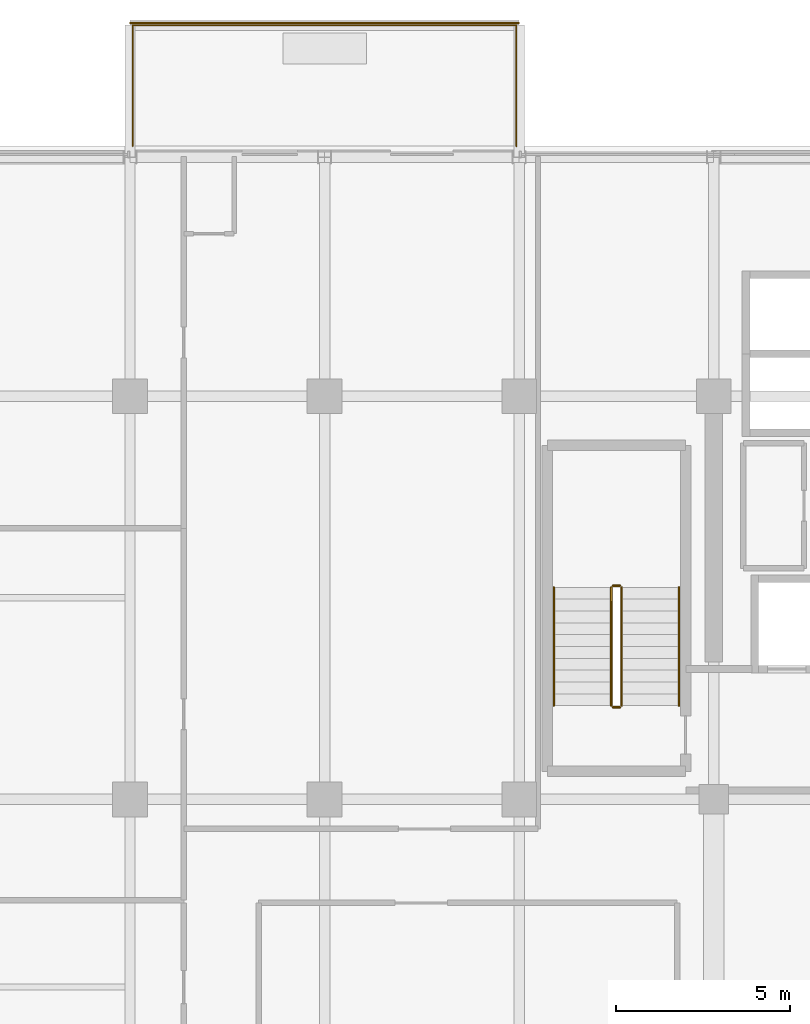
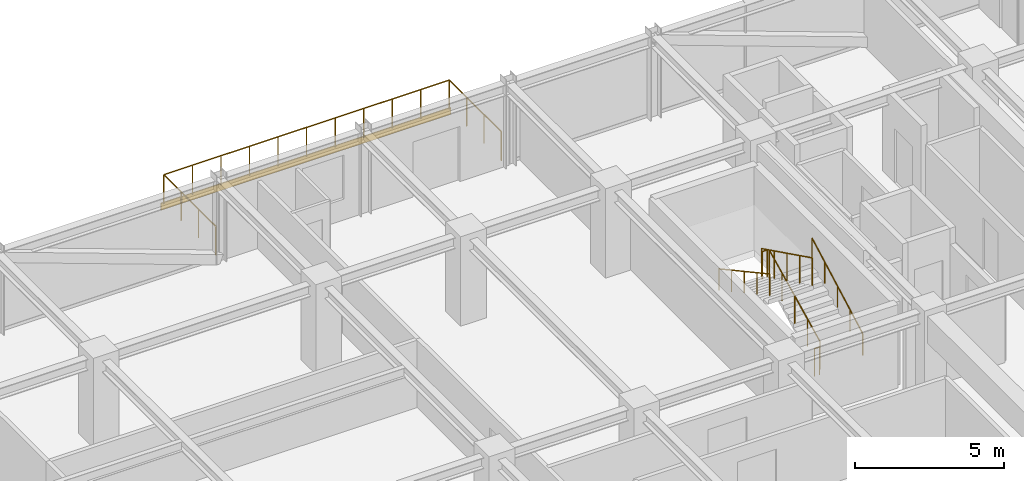
# One storey, part 41 of 42: 7 railings, 1 covering.
"""IFC4 building model written with IfcOpenShell, lengths in metres."""

from ifc_helpers import new_model, si_unit, direction, frame, origin, origin_2d, place, context, subcontext, project, spatial, rectangle, circle, extrude, source, transform, mapped, material, layer, layer_set, type_object, element, save


model = new_model("IFC4")

# Units and contexts
model_context = context("Model", 3, precision=1e-05, world=origin(), true_north=direction((0.0, 1.0)))
body_context = subcontext(model_context, "Body", "Model", "MODEL_VIEW")
ifc_project = project(units=[si_unit("LENGTHUNIT", "METRE"), si_unit("AREAUNIT", "SQUARE_METRE"), si_unit("VOLUMEUNIT", "CUBIC_METRE"), si_unit("PLANEANGLEUNIT", "RADIAN"), si_unit("MASSUNIT", "GRAM", prefix="KILO")], contexts=[model_context])

# Site, building, storey
site_placement = place(None, origin())
site = spatial("IfcSite", under=ifc_project, at=site_placement, CompositionType="ELEMENT")
building_placement = place(site_placement, origin())
building = spatial("IfcBuilding", under=site, at=building_placement, Name="Nahalor Promenade Grand Hotel", CompositionType="ELEMENT")
storey_placement = place(building_placement, frame((0.0, 0.0, 249.300048828125)))
storey = spatial("IfcBuildingStorey", under=building, at=storey_placement, Name="L64", CompositionType="ELEMENT", Elevation=249.300048828125)

# Railings
ifc_material_1 = material(Name="Anodised Bronze Aluminium EN AW-6063 T6", Category="aluminium")
railing_type_1 = type_object("IfcRailingType", Name="Bronze Balcony Guardrail 1200 mm", PredefinedType="GUARDRAIL", material=ifc_material_1)
railing_1_placement = place(storey_placement, frame((-8.320068359375, 24.199951171875, 0.0)))
element("IfcRailing", 1, at=railing_1_placement, inside=storey, type_object=railing_type_1, Name="L64 Balcony Guardrail 1", PredefinedType="GUARDRAIL", context=body_context, shape_type="SweptSolid", body=[
    extrude(circle(Radius=0.024048, at=origin_2d()), frame((0.0, 0.0, 1.17578125), z_axis=(0.0, 1.0, 0.0), x_axis=(-1.0, 0.0, 0.0)), (0.0, 0.0, 1.0), 3.47802734375),
    extrude(circle(Radius=0.024048, at=origin_2d()), frame((0.001953125, 3.47998046875, 1.17578125), z_axis=(1.0, 0.0, 0.0), x_axis=(0.0, 1.0, 0.0)), (0.0, 0.0, 1.0), 11.0361328125),
    extrude(circle(Radius=0.024048, at=origin_2d()), frame((11.0400390625, 3.47802734375, 1.17578125), z_axis=(0.0, -1.0, 0.0), x_axis=(1.0, 0.0, 0.0)), (0.0, 0.0, 1.0), 3.47802734375),
    extrude(circle(Radius=0.020996, at=origin_2d()), origin(), (0.0, 0.0, 1.0), 1.14990234375),
    extrude(circle(Radius=0.020996, at=origin_2d()), frame((0.0, 1.159912109375, 0.0)), (0.0, 0.0, 1.0), 1.14990234375),
    extrude(circle(Radius=0.020996, at=origin_2d()), frame((0.0, 2.320068359375, 0.0)), (0.0, 0.0, 1.0), 1.14990234375),
    extrude(circle(Radius=0.020996, at=origin_2d()), frame((0.0, 3.47998046875, 0.0)), (0.0, 0.0, 1.0), 1.14990234375),
    extrude(circle(Radius=0.020996, at=origin_2d()), frame((1.10400390625, 3.47998046875, 0.0)), (0.0, 0.0, 1.0), 1.14990234375),
    extrude(circle(Radius=0.020996, at=origin_2d()), frame((2.2080078125, 3.47998046875, 0.0)), (0.0, 0.0, 1.0), 1.14990234375),
    extrude(circle(Radius=0.020996, at=origin_2d()), frame((3.31201171875, 3.47998046875, 0.0)), (0.0, 0.0, 1.0), 1.14990234375),
    extrude(circle(Radius=0.020996, at=origin_2d()), frame((4.416015625, 3.47998046875, 0.0)), (0.0, 0.0, 1.0), 1.14990234375),
    extrude(circle(Radius=0.020996, at=origin_2d()), frame((5.52001953125, 3.47998046875, 0.0)), (0.0, 0.0, 1.0), 1.14990234375),
    extrude(circle(Radius=0.020996, at=origin_2d()), frame((6.6240234375, 3.47998046875, 0.0)), (0.0, 0.0, 1.0), 1.14990234375),
    extrude(circle(Radius=0.020996, at=origin_2d()), frame((7.72802734375, 3.47998046875, 0.0)), (0.0, 0.0, 1.0), 1.14990234375),
    extrude(circle(Radius=0.020996, at=origin_2d()), frame((8.83203125, 3.47998046875, 0.0)), (0.0, 0.0, 1.0), 1.14990234375),
    extrude(circle(Radius=0.020996, at=origin_2d()), frame((9.93603515625, 3.47998046875, 0.0)), (0.0, 0.0, 1.0), 1.14990234375),
    extrude(circle(Radius=0.020996, at=origin_2d()), frame((11.0400390625, 3.47998046875, 0.0)), (0.0, 0.0, 1.0), 1.14990234375),
    extrude(circle(Radius=0.020996, at=origin_2d()), frame((11.0400390625, 2.320068359375, 0.0)), (0.0, 0.0, 1.0), 1.14990234375),
    extrude(circle(Radius=0.020996, at=origin_2d()), frame((11.0400390625, 1.159912109375, 0.0)), (0.0, 0.0, 1.0), 1.14990234375),
    extrude(circle(Radius=0.020996, at=origin_2d()), frame((11.0400390625, 0.0, 0.0)), (0.0, 0.0, 1.0), 1.14990234375),
])
ifc_material_2 = material(Name="Steel S355JR", Category="steel")
railing_type_2 = type_object("IfcRailingType", Name="Steel Stair Guardrail 1150 mm", PredefinedType="GUARDRAIL", material=ifc_material_2)
railing_2_placement = place(storey_placement, frame((5.75, 8.10009765625, 0.168212890625)))
element("IfcRailing", 2, at=railing_2_placement, inside=storey, type_object=railing_type_2, Name="L64 ST1 stair guard 1", PredefinedType="GUARDRAIL", context=body_context, shape_type="SweptSolid", body=[
    extrude(circle(Radius=0.024048, at=origin_2d()), frame((0.0, 0.0, 1.1259765625), z_axis=(0.0, 0.896349809652, 0.44334751464), x_axis=(-1.0, 0.0, 0.0)), (0.0, 0.0, 1.0), 3.79296875),
    extrude(circle(Radius=0.020996, at=origin_2d()), origin(), (0.0, 0.0, 1.0), 1.099853515625),
    extrude(circle(Radius=0.020996, at=origin_2d()), frame((0.0, 0.85009765625, 0.42041015625)), (0.0, 0.0, 1.0), 1.099853515625),
    extrude(circle(Radius=0.020996, at=origin_2d()), frame((0.0, 1.699951171875, 0.8408203125)), (0.0, 0.0, 1.0), 1.099853515625),
    extrude(circle(Radius=0.020996, at=origin_2d()), frame((0.0, 2.5498046875, 1.26123046875)), (0.0, 0.0, 1.0), 1.099853515625),
    extrude(circle(Radius=0.020996, at=origin_2d()), frame((0.0, 3.39990234375, 1.681640625)), (0.0, 0.0, 1.0), 1.099853515625),
])
railing_3_placement = place(storey_placement, frame((5.699951171875, 11.550048828125, 1.849853515625)))
element("IfcRailing", 3, at=railing_3_placement, inside=storey, type_object=railing_type_2, Name="L64 ST1 stair guard 2", PredefinedType="GUARDRAIL", context=body_context, shape_type="SweptSolid", body=[
    extrude(circle(Radius=0.024048, at=origin_2d()), frame((0.0, 0.0, 1.1259765625), z_axis=(-1.0, 0.0, 0.0), x_axis=(0.0, -1.0, 0.0)), (0.0, 0.0, 1.0), 0.199951171875),
    extrude(circle(Radius=0.020996, at=origin_2d()), origin(), (0.0, 0.0, 1.0), 1.099853515625),
    extrude(circle(Radius=0.020996, at=origin_2d()), frame((-0.199951171875, 0.0, 0.0)), (0.0, 0.0, 1.0), 1.099853515625),
])
railing_4_placement = place(storey_placement, frame((5.449951171875, 11.5, 2.01806640625)))
element("IfcRailing", 4, at=railing_4_placement, inside=storey, type_object=railing_type_2, Name="L64 ST1 stair guard 3", PredefinedType="GUARDRAIL", context=body_context, shape_type="SweptSolid", body=[
    extrude(circle(Radius=0.024048, at=origin_2d()), frame((0.0, 0.0, 1.1259765625), z_axis=(0.0, -0.896324230515, 0.443399226197), x_axis=(1.0, 0.0, 0.0)), (0.0, 0.0, 1.0), 3.793212890625),
    extrude(circle(Radius=0.020996, at=origin_2d()), origin(), (0.0, 0.0, 1.0), 1.099853515625),
    extrude(circle(Radius=0.020996, at=origin_2d()), frame((0.0, -0.85009765625, 0.42041015625)), (0.0, 0.0, 1.0), 1.099853515625),
    extrude(circle(Radius=0.020996, at=origin_2d()), frame((0.0, -1.699951171875, 0.8408203125)), (0.0, 0.0, 1.0), 1.099853515625),
    extrude(circle(Radius=0.020996, at=origin_2d()), frame((0.0, -2.5498046875, 1.261474609375)), (0.0, 0.0, 1.0), 1.099853515625),
    extrude(circle(Radius=0.020996, at=origin_2d()), frame((0.0, -3.39990234375, 1.681884765625)), (0.0, 0.0, 1.0), 1.099853515625),
])
railing_5_placement = place(storey_placement, frame((5.699951171875, 8.050048828125, 0.0)))
element("IfcRailing", 5, at=railing_5_placement, inside=storey, type_object=railing_type_2, Name="L64 ST1 stair guard 4", PredefinedType="GUARDRAIL", context=body_context, shape_type="SweptSolid", body=[
    extrude(circle(Radius=0.024048, at=origin_2d()), frame((0.0, 0.0, 1.1259765625), z_axis=(-1.0, 0.0, 0.0), x_axis=(0.0, -1.0, 0.0)), (0.0, 0.0, 1.0), 0.199951171875),
    extrude(circle(Radius=0.020996, at=origin_2d()), origin(), (0.0, 0.0, 1.0), 1.099853515625),
    extrude(circle(Radius=0.020996, at=origin_2d()), frame((-0.199951171875, 0.0, 0.0)), (0.0, 0.0, 1.0), 1.099853515625),
])
railing_type_3 = type_object("IfcRailingType", Name="Steel Stair Handrail 900 mm", PredefinedType="HANDRAIL", material=ifc_material_2)
railing_6_placement = place(storey_placement, frame((7.39990234375, 8.10009765625, 0.168212890625)))
element("IfcRailing", 6, at=railing_6_placement, inside=storey, type_object=railing_type_3, Name="L64 ST1 stair handrail 1", PredefinedType="HANDRAIL", context=body_context, shape_type="SweptSolid", body=[
    extrude(circle(Radius=0.024048, at=origin_2d()), frame((0.0, 0.0, 0.8759765625), z_axis=(0.0, 0.878398892953, 0.47792822145), x_axis=(-1.0, 0.0, 0.0)), (0.0, 0.0, 1.0), 3.87060546875),
    extrude(circle(Radius=0.020996, at=origin_2d()), origin(), (0.0, 0.0, 1.0), 0.849853515625),
    extrude(circle(Radius=0.020996, at=origin_2d()), frame((0.0, 0.85009765625, 0.46240234375)), (0.0, 0.0, 1.0), 0.849853515625),
    extrude(circle(Radius=0.020996, at=origin_2d()), frame((0.0, 1.699951171875, 0.9248046875)), (0.0, 0.0, 1.0), 0.849853515625),
    extrude(circle(Radius=0.020996, at=origin_2d()), frame((0.0, 2.5498046875, 1.387451171875)), (0.0, 0.0, 1.0), 0.849853515625),
    extrude(circle(Radius=0.020996, at=origin_2d()), frame((0.0, 3.39990234375, 1.849853515625)), (0.0, 0.0, 1.0), 0.849853515625),
])
railing_7_placement = place(storey_placement, frame((3.800048828125, 11.5, 2.01806640625)))
element("IfcRailing", 7, at=railing_7_placement, inside=storey, type_object=railing_type_3, Name="L64 ST1 stair handrail 2", PredefinedType="HANDRAIL", context=body_context, shape_type="SweptSolid", body=[
    extrude(circle(Radius=0.024048, at=origin_2d()), frame((0.0, 0.0, 0.8759765625), z_axis=(0.0, -0.87837241229, 0.47797688786), x_axis=(1.0, 0.0, 0.0)), (0.0, 0.0, 1.0), 3.87060546875),
    extrude(circle(Radius=0.020996, at=origin_2d()), origin(), (0.0, 0.0, 1.0), 0.849853515625),
    extrude(circle(Radius=0.020996, at=origin_2d()), frame((0.0, -0.85009765625, 0.46240234375)), (0.0, 0.0, 1.0), 0.849853515625),
    extrude(circle(Radius=0.020996, at=origin_2d()), frame((0.0, -1.699951171875, 0.925048828125)), (0.0, 0.0, 1.0), 0.849853515625),
    extrude(circle(Radius=0.020996, at=origin_2d()), frame((0.0, -2.5498046875, 1.3876953125)), (0.0, 0.0, 1.0), 0.849853515625),
    extrude(circle(Radius=0.020996, at=origin_2d()), frame((0.0, -3.39990234375, 1.85009765625)), (0.0, 0.0, 1.0), 0.849853515625),
])

# Covering
ifc_layer = layer(ifc_material_1, 0.0400390625)
ifc_layer_set = layer_set([ifc_layer], Name="Anodised Bronze Aluminium EN AW-6063 T6")
covering_type = type_object("IfcCoveringType", Name="Bronze Spandrel Cladding Panel", PredefinedType="CLADDING", material=ifc_layer_set)
shared_shape = source(origin(), body_context, "Body", "SweptSolid", [
    extrude(rectangle(XDim=11.199951171875, YDim=0.0400390625, at=origin_2d()), origin(), (0.0, 0.0, 1.0), 0.280029296875),
])
covering_placement = place(storey_placement, frame((-2.800048828125, 27.739990234375, -0.2802734375), z_axis=(0.0, 0.0, 1.0), x_axis=(1.0, 0.0, 0.0)))
element("IfcCovering", 8, at=covering_placement, inside=storey, type_object=covering_type, Name="CL-L64-BALC-01", PredefinedType="CLADDING", context=body_context, shape_type="MappedRepresentation", body=[
    mapped(shared_shape, transform((0.0, 0.0, 0.0), scale=1.0)),
])

save(model, "model.ifc")
